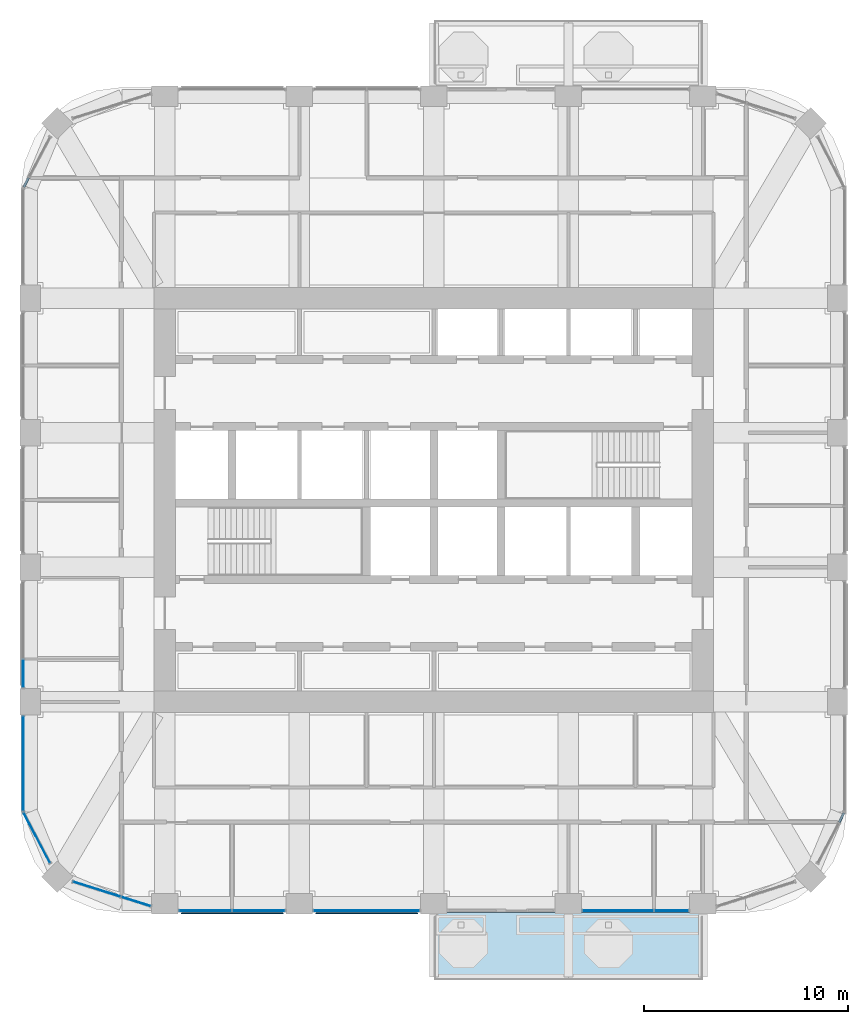
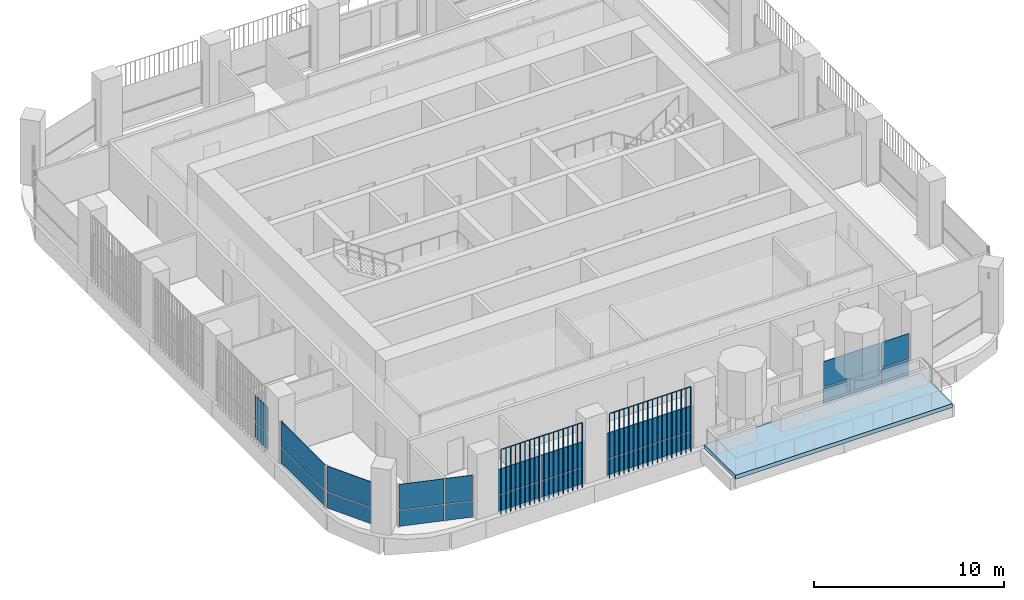
# One storey, part 8 of 20: 22 plates, 2 members, 1 slab, 9 elements without a shape of their own.
"""IFC4 building model written with IfcOpenShell, lengths in metres."""

from ifc_helpers import new_model, si_unit, direction, frame, origin, origin_2d, place, context, subcontext, project, spatial, polyline, rectangle, outline, extrude, material, layer, layer_set, material_profile, profile_set, type_object, element, aggregate, save


model = new_model("IFC4")

# Units and contexts
model_context = context("Model", 3, precision=1e-05, world=origin(), true_north=direction((0.0, 1.0)))
body_context = subcontext(model_context, "Body", "Model", "MODEL_VIEW")
ifc_project = project(units=[si_unit("LENGTHUNIT", "METRE"), si_unit("AREAUNIT", "SQUARE_METRE"), si_unit("VOLUMEUNIT", "CUBIC_METRE"), si_unit("PLANEANGLEUNIT", "RADIAN"), si_unit("MASSUNIT", "GRAM", prefix="KILO")], contexts=[model_context])

# Site, building, storey
site_placement = place(None, origin())
site = spatial("IfcSite", under=ifc_project, at=site_placement, CompositionType="ELEMENT")
building_placement = place(site_placement, origin())
building = spatial("IfcBuilding", under=site, at=building_placement, Name="Cobogo Forest Laboratory Tower", CompositionType="ELEMENT")
storey_placement = place(building_placement, frame((0.0, 0.0, 233.39990234375)))
storey = spatial("IfcBuildingStorey", under=building, at=storey_placement, Name="L53", CompositionType="ELEMENT", Elevation=233.39990234375)

# Curtain wall, member
ifc_material_1 = material(Name="Aluminium curtain wall", Category="aluminium")
curtain_wall_type = type_object("IfcCurtainWallType", Name="CW-2 unitised curtain wall, solar control glazing, laboratory floors zones C and D", PredefinedType="USERDEFINED", material=ifc_material_1)
curtain_wall_1_placement = place(storey_placement, origin())
curtain_wall_1 = element("IfcCurtainWall", 1, at=curtain_wall_1_placement, inside=storey, type_object=curtain_wall_type, Name="Curtain wall 06 L53", ObjectType="UNITISED CURTAIN WALL", PredefinedType="USERDEFINED")
ifc_material_2 = material(Name="Aluminium transom", Category="aluminium")
ifc_material_profile = material_profile(ifc_material_2, rectangle(XDim=0.1201171875, YDim=0.06005859375, at=origin_2d()), Name="AL 60x120")
ifc_profile_set = profile_set([ifc_material_profile], Name="Aluminium transom")
member_type = type_object("IfcMemberType", Name="TR-1 aluminium transom 60x120", PredefinedType="USERDEFINED", material=ifc_profile_set)
member_1_placement = place(storey_placement, frame((46.282470703125, 7.289306640625, 1.050048828125), z_axis=(0.46414828098, 0.885757513806, 0.0), x_axis=(-0.885757513806, 0.46414828098, 0.0)))
member_1 = element("IfcMember", 2, at=member_1_placement, type_object=member_type, Name="CW-2 transom 2.1", ObjectType="TRANSOM", PredefinedType="USERDEFINED", context=body_context, shape_type="SweptSolid", body=[
    extrude(rectangle(XDim=0.1201171875, YDim=0.06005859375, at=origin_2d()), origin(), (0.0, 0.0, 1.0), 0.5166015625),
])
aggregate(curtain_wall_1, [member_1])

curtain_wall_2_placement = place(storey_placement, origin())
curtain_wall_2 = element("IfcCurtainWall", 3, at=curtain_wall_2_placement, inside=storey, type_object=curtain_wall_type, Name="Curtain wall 19 L53", ObjectType="UNITISED CURTAIN WALL", PredefinedType="USERDEFINED")
member_2_placement = place(storey_placement, frame((6.517578125, 38.91064453125, 1.050048828125), z_axis=(-0.46414828098, -0.885757513806, 0.0), x_axis=(0.885757513806, -0.46414828098, 0.0)))
member_2 = element("IfcMember", 4, at=member_2_placement, type_object=member_type, Name="CW-2 transom 2.1", ObjectType="TRANSOM", PredefinedType="USERDEFINED", context=body_context, shape_type="SweptSolid", body=[
    extrude(rectangle(XDim=0.1201171875, YDim=0.06005859375, at=origin_2d()), origin(), (0.0, 0.0, 1.0), 0.5166015625),
])
aggregate(curtain_wall_2, [member_2])

# Slab
ifc_material_3 = material(Name="Concrete HA-40 (C40/50)", Category="concrete")
ifc_layer_1 = layer(ifc_material_3, 0.25)
ifc_layer_set_1 = layer_set([ifc_layer_1], Name="Balcony slab 250")
slab_type = type_object("IfcSlabType", Name="Balcony slab 250", PredefinedType="FLOOR", material=ifc_layer_set_1)
slab_placement = place(storey_placement, frame((0.0, 0.0, -0.25)))
element("IfcSlab", 5, at=slab_placement, inside=storey, type_object=slab_type, Name="Balcony BAL-S1 L53", PredefinedType="FLOOR", context=body_context, shape_type="SweptSolid", body=[
    extrude(outline(polyline([(26.39990234375, -0.449951171875), (39.60009765625, -0.449951171875), (39.60009765625, 2.85009765625), (26.39990234375, 2.85009765625), (26.39990234375, -0.449951171875)])), origin(), (0.0, 0.0, 1.0), 0.25),
])

# Curtain wall, plates
curtain_wall_3_placement = place(storey_placement, origin())
curtain_wall_3 = element("IfcCurtainWall", 6, at=curtain_wall_3_placement, inside=storey, type_object=curtain_wall_type, Name="Curtain wall 01 L53", ObjectType="UNITISED CURTAIN WALL", PredefinedType="USERDEFINED")
ifc_material_4 = material(Name="Solar control insulated glass", Category="glass")
ifc_layer_2 = layer(ifc_material_4, 0.031982421875)
ifc_layer_set_2 = layer_set([ifc_layer_2], Name="GP-2 solar control glass unit 32")
plate_type_1 = type_object("IfcPlateType", Name="GP-2 solar control glass unit 32", PredefinedType="CURTAIN_PANEL", material=ifc_layer_set_2)
plate_1_placement = place(storey_placement, frame((15.18994140625, 2.949951171875, 0.0), z_axis=(0.0, 0.0, 1.0), x_axis=(1.0, 0.0, 0.0)))
plate_1 = element("IfcPlate", 7, at=plate_1_placement, type_object=plate_type_1, Name="CW-2 panel 1.1", PredefinedType="CURTAIN_PANEL", context=body_context, shape_type="SweptSolid", body=[
    extrude(rectangle(XDim=2.56005859375, YDim=0.031982421875, at=origin_2d()), origin(), (0.0, 0.0, 1.0), 1.02001953125),
])
plate_2_placement = place(storey_placement, frame((15.18994140625, 2.949951171875, 1.080078125), z_axis=(0.0, 0.0, 1.0), x_axis=(1.0, 0.0, 0.0)))
plate_2 = element("IfcPlate", 8, at=plate_2_placement, type_object=plate_type_1, Name="CW-2 panel 1.2", PredefinedType="CURTAIN_PANEL", context=body_context, shape_type="SweptSolid", body=[
    extrude(rectangle(XDim=2.56005859375, YDim=0.031982421875, at=origin_2d()), origin(), (0.0, 0.0, 1.0), 1.6201171875),
])
plate_3_placement = place(storey_placement, frame((17.81005859375, 2.949951171875, 0.0), z_axis=(0.0, 0.0, 1.0), x_axis=(1.0, 0.0, 0.0)))
plate_3 = element("IfcPlate", 9, at=plate_3_placement, type_object=plate_type_1, Name="CW-2 panel 2.1", PredefinedType="CURTAIN_PANEL", context=body_context, shape_type="SweptSolid", body=[
    extrude(rectangle(XDim=2.56005859375, YDim=0.031982421875, at=origin_2d()), origin(), (0.0, 0.0, 1.0), 1.02001953125),
])
plate_4_placement = place(storey_placement, frame((17.81005859375, 2.949951171875, 1.080078125), z_axis=(0.0, 0.0, 1.0), x_axis=(1.0, 0.0, 0.0)))
plate_4 = element("IfcPlate", 10, at=plate_4_placement, type_object=plate_type_1, Name="CW-2 panel 2.2", PredefinedType="CURTAIN_PANEL", context=body_context, shape_type="SweptSolid", body=[
    extrude(rectangle(XDim=2.56005859375, YDim=0.031982421875, at=origin_2d()), origin(), (0.0, 0.0, 1.0), 1.6201171875),
])
aggregate(curtain_wall_3, [plate_1, plate_2, plate_3, plate_4])

curtain_wall_4_placement = place(storey_placement, origin())
curtain_wall_4 = element("IfcCurtainWall", 11, at=curtain_wall_4_placement, inside=storey, type_object=curtain_wall_type, Name="Curtain wall 02 L53", ObjectType="UNITISED CURTAIN WALL", PredefinedType="USERDEFINED")
plate_5_placement = place(storey_placement, frame((23.10009765625, 2.949951171875, 0.0), z_axis=(0.0, 0.0, 1.0), x_axis=(1.0, 0.0, 0.0)))
plate_5 = element("IfcPlate", 12, at=plate_5_placement, type_object=plate_type_1, Name="CW-2 panel 1.1", PredefinedType="CURTAIN_PANEL", context=body_context, shape_type="SweptSolid", body=[
    extrude(rectangle(XDim=5.179931640625, YDim=0.031982421875, at=origin_2d()), origin(), (0.0, 0.0, 1.0), 1.02001953125),
])
plate_6_placement = place(storey_placement, frame((23.10009765625, 2.949951171875, 1.080078125), z_axis=(0.0, 0.0, 1.0), x_axis=(1.0, 0.0, 0.0)))
plate_6 = element("IfcPlate", 13, at=plate_6_placement, type_object=plate_type_1, Name="CW-2 panel 1.2", PredefinedType="CURTAIN_PANEL", context=body_context, shape_type="SweptSolid", body=[
    extrude(rectangle(XDim=5.179931640625, YDim=0.031982421875, at=origin_2d()), origin(), (0.0, 0.0, 1.0), 1.6201171875),
])
aggregate(curtain_wall_4, [plate_5, plate_6])

curtain_wall_5_placement = place(storey_placement, origin())
curtain_wall_5 = element("IfcCurtainWall", 14, at=curtain_wall_5_placement, inside=storey, type_object=curtain_wall_type, Name="Curtain wall 04 L53", ObjectType="UNITISED CURTAIN WALL", PredefinedType="USERDEFINED")
plate_7_placement = place(storey_placement, frame((35.43994140625, 2.949951171875, 0.0), z_axis=(0.0, 0.0, 1.0), x_axis=(1.0, 0.0, 0.0)))
plate_7 = element("IfcPlate", 15, at=plate_7_placement, type_object=plate_type_1, Name="CW-2 panel 1.1", PredefinedType="CURTAIN_PANEL", context=body_context, shape_type="SweptSolid", body=[
    extrude(rectangle(XDim=3.4599609375, YDim=0.031982421875, at=origin_2d()), origin(), (0.0, 0.0, 1.0), 1.02001953125),
])
plate_8_placement = place(storey_placement, frame((35.43994140625, 2.949951171875, 1.080078125), z_axis=(0.0, 0.0, 1.0), x_axis=(1.0, 0.0, 0.0)))
plate_8 = element("IfcPlate", 16, at=plate_8_placement, type_object=plate_type_1, Name="CW-2 panel 1.2", PredefinedType="CURTAIN_PANEL", context=body_context, shape_type="SweptSolid", body=[
    extrude(rectangle(XDim=3.4599609375, YDim=0.031982421875, at=origin_2d()), origin(), (0.0, 0.0, 1.0), 1.6201171875),
])
plate_9_placement = place(storey_placement, frame((38.06005859375, 2.949951171875, 0.0), z_axis=(0.0, 0.0, 1.0), x_axis=(1.0, 0.0, 0.0)))
plate_9 = element("IfcPlate", 17, at=plate_9_placement, type_object=plate_type_1, Name="CW-2 panel 2.1", PredefinedType="CURTAIN_PANEL", context=body_context, shape_type="SweptSolid", body=[
    extrude(rectangle(XDim=1.659912109375, YDim=0.031982421875, at=origin_2d()), origin(), (0.0, 0.0, 1.0), 1.02001953125),
])
plate_10_placement = place(storey_placement, frame((38.06005859375, 2.949951171875, 1.080078125), z_axis=(0.0, 0.0, 1.0), x_axis=(1.0, 0.0, 0.0)))
plate_10 = element("IfcPlate", 18, at=plate_10_placement, type_object=plate_type_1, Name="CW-2 panel 2.2", PredefinedType="CURTAIN_PANEL", context=body_context, shape_type="SweptSolid", body=[
    extrude(rectangle(XDim=1.659912109375, YDim=0.031982421875, at=origin_2d()), origin(), (0.0, 0.0, 1.0), 1.6201171875),
])
aggregate(curtain_wall_5, [plate_7, plate_8, plate_9, plate_10])

curtain_wall_6_placement = place(storey_placement, origin())
curtain_wall_6 = element("IfcCurtainWall", 19, at=curtain_wall_6_placement, inside=storey, type_object=curtain_wall_type, Name="Curtain wall 23 L53", ObjectType="UNITISED CURTAIN WALL", PredefinedType="USERDEFINED")
plate_11_placement = place(storey_placement, frame((6.25, 14.590087890625, 0.0), z_axis=(0.0, 0.0, 1.0), x_axis=(0.0, -1.0, 0.0)))
plate_11 = element("IfcPlate", 20, at=plate_11_placement, type_object=plate_type_1, Name="CW-2 panel 2.1", PredefinedType="CURTAIN_PANEL", context=body_context, shape_type="SweptSolid", body=[
    extrude(rectangle(XDim=1.360107421875, YDim=0.031982421875, at=origin_2d()), origin(), (0.0, 0.0, 1.0), 1.02001953125),
])
plate_12_placement = place(storey_placement, frame((6.25, 14.590087890625, 1.080078125), z_axis=(0.0, 0.0, 1.0), x_axis=(0.0, -1.0, 0.0)))
plate_12 = element("IfcPlate", 21, at=plate_12_placement, type_object=plate_type_1, Name="CW-2 panel 2.2", PredefinedType="CURTAIN_PANEL", context=body_context, shape_type="SweptSolid", body=[
    extrude(rectangle(XDim=1.360107421875, YDim=0.031982421875, at=origin_2d()), origin(), (0.0, 0.0, 1.0), 1.6201171875),
])
aggregate(curtain_wall_6, [plate_11, plate_12])

curtain_wall_7_placement = place(storey_placement, origin())
curtain_wall_7 = element("IfcCurtainWall", 22, at=curtain_wall_7_placement, inside=storey, type_object=curtain_wall_type, Name="Curtain wall 24 L53", ObjectType="UNITISED CURTAIN WALL", PredefinedType="USERDEFINED")
plate_13_placement = place(storey_placement, frame((6.25, 10.175048828125, 0.0), z_axis=(0.0, 0.0, 1.0), x_axis=(0.0, -1.0, 0.0)))
plate_13 = element("IfcPlate", 23, at=plate_13_placement, type_object=plate_type_1, Name="CW-2 panel 1.1", PredefinedType="CURTAIN_PANEL", context=body_context, shape_type="SweptSolid", body=[
    extrude(rectangle(XDim=4.6298828125, YDim=0.031982421875, at=origin_2d()), origin(), (0.0, 0.0, 1.0), 1.02001953125),
])
plate_14_placement = place(storey_placement, frame((6.25, 10.175048828125, 1.080078125), z_axis=(0.0, 0.0, 1.0), x_axis=(0.0, -1.0, 0.0)))
plate_14 = element("IfcPlate", 24, at=plate_14_placement, type_object=plate_type_1, Name="CW-2 panel 1.2", PredefinedType="CURTAIN_PANEL", context=body_context, shape_type="SweptSolid", body=[
    extrude(rectangle(XDim=4.6298828125, YDim=0.031982421875, at=origin_2d()), origin(), (0.0, 0.0, 1.0), 1.6201171875),
])
aggregate(curtain_wall_7, [plate_13, plate_14])

curtain_wall_8_placement = place(storey_placement, origin())
curtain_wall_8 = element("IfcCurtainWall", 25, at=curtain_wall_8_placement, inside=storey, type_object=curtain_wall_type, Name="Curtain wall 25 L53", ObjectType="UNITISED CURTAIN WALL", PredefinedType="USERDEFINED")
plate_15_placement = place(storey_placement, frame((6.918701171875, 6.5244140625, 0.0), z_axis=(0.0, 0.0, 1.0), x_axis=(0.464283804832, -0.885686484356, 0.0)))
plate_15 = element("IfcPlate", 26, at=plate_15_placement, type_object=plate_type_1, Name="CW-2 panel 1.1", PredefinedType="CURTAIN_PANEL", context=body_context, shape_type="SweptSolid", body=[
    extrude(rectangle(XDim=2.76025390625, YDim=0.031982421875, at=origin_2d()), origin(), (0.0, 0.0, 1.0), 1.02001953125),
])
plate_16_placement = place(storey_placement, frame((6.918701171875, 6.5244140625, 1.080078125), z_axis=(0.0, 0.0, 1.0), x_axis=(0.464283804832, -0.885686484356, 0.0)))
plate_16 = element("IfcPlate", 27, at=plate_16_placement, type_object=plate_type_1, Name="CW-2 panel 1.2", PredefinedType="CURTAIN_PANEL", context=body_context, shape_type="SweptSolid", body=[
    extrude(rectangle(XDim=2.76025390625, YDim=0.031982421875, at=origin_2d()), origin(), (0.0, 0.0, 1.0), 1.6201171875),
])
aggregate(curtain_wall_8, [plate_15, plate_16])

curtain_wall_9_placement = place(storey_placement, origin())
curtain_wall_9 = element("IfcCurtainWall", 28, at=curtain_wall_9_placement, inside=storey, type_object=curtain_wall_type, Name="Curtain wall 26 L53", ObjectType="UNITISED CURTAIN WALL", PredefinedType="USERDEFINED")
plate_17_placement = place(storey_placement, frame((9.8642578125, 4.00341796875, 0.0), z_axis=(0.0, 0.0, 1.0), x_axis=(0.953581331491, -0.301135591107, 0.0)))
plate_17 = element("IfcPlate", 29, at=plate_17_placement, type_object=plate_type_1, Name="CW-2 panel 1.1", PredefinedType="CURTAIN_PANEL", context=body_context, shape_type="SweptSolid", body=[
    extrude(rectangle(XDim=2.428955078125, YDim=0.031982421875, at=origin_2d()), origin(), (0.0, 0.0, 1.0), 1.02001953125),
])
plate_18_placement = place(storey_placement, frame((9.8642578125, 4.00341796875, 1.080078125), z_axis=(0.0, 0.0, 1.0), x_axis=(0.953581331491, -0.301135591107, 0.0)))
plate_18 = element("IfcPlate", 30, at=plate_18_placement, type_object=plate_type_1, Name="CW-2 panel 1.2", PredefinedType="CURTAIN_PANEL", context=body_context, shape_type="SweptSolid", body=[
    extrude(rectangle(XDim=2.428955078125, YDim=0.031982421875, at=origin_2d()), origin(), (0.0, 0.0, 1.0), 1.6201171875),
])
plate_19_placement = place(storey_placement, frame((11.7861328125, 3.396484375, 0.0), z_axis=(0.0, 0.0, 1.0), x_axis=(0.953581331491, -0.301135591107, 0.0)))
plate_19 = element("IfcPlate", 31, at=plate_19_placement, type_object=plate_type_1, Name="CW-2 panel 2.1", PredefinedType="CURTAIN_PANEL", context=body_context, shape_type="SweptSolid", body=[
    extrude(rectangle(XDim=1.482177734375, YDim=0.031982421875, at=origin_2d()), origin(), (0.0, 0.0, 1.0), 1.02001953125),
])
plate_20_placement = place(storey_placement, frame((11.7861328125, 3.396484375, 1.080078125), z_axis=(0.0, 0.0, 1.0), x_axis=(0.953581331491, -0.301135591107, 0.0)))
plate_20 = element("IfcPlate", 32, at=plate_20_placement, type_object=plate_type_1, Name="CW-2 panel 2.2", PredefinedType="CURTAIN_PANEL", context=body_context, shape_type="SweptSolid", body=[
    extrude(rectangle(XDim=1.482177734375, YDim=0.031982421875, at=origin_2d()), origin(), (0.0, 0.0, 1.0), 1.6201171875),
])
aggregate(curtain_wall_9, [plate_17, plate_18, plate_19, plate_20])

# Plates
ifc_material_5 = material(Name="Terracotta", Category="masonry")
plate_type_2 = type_object("IfcPlateType", Name="TB1 terracotta baguette screen", PredefinedType="USERDEFINED", material=ifc_material_5)
plate_21_placement = place(storey_placement, frame((14.03125, 2.822021484375, -0.14990234375)))
element("IfcPlate", 33, at=plate_21_placement, inside=storey, type_object=plate_type_2, Name="Baguette screen S1 L53", ObjectType="BAGUETTE SCREEN", PredefinedType="USERDEFINED", context=body_context, shape_type="SweptSolid", body=[
    extrude(outline(polyline([(0.02880859375, 0.011962890625), (0.011962890625, 0.02880859375), (-0.011962890625, 0.02880859375), (-0.02880859375, 0.011962890625), (-0.02880859375, -0.011962890625), (-0.011962890625, -0.02880859375), (0.011962890625, -0.02880859375), (0.02880859375, -0.011962890625), (0.02880859375, 0.011962890625)])), frame((0.0, 0.0, 4.168701171875), z_axis=(1.0, 0.0, 0.0), x_axis=(0.0, 1.0, 0.0)), (0.0, 0.0, 1.0), 4.9375),
    extrude(outline(polyline([(0.02880859375, 0.011962890625), (0.011962890625, 0.02880859375), (-0.011962890625, 0.02880859375), (-0.02880859375, 0.011962890625), (-0.02880859375, -0.011962890625), (-0.011962890625, -0.02880859375), (0.011962890625, -0.02880859375), (0.02880859375, -0.011962890625), (0.02880859375, 0.011962890625)])), origin(), (0.0, 0.0, 1.0), 4.137451171875),
    extrude(outline(polyline([(0.02880859375, 0.011962890625), (0.011962890625, 0.02880859375), (-0.011962890625, 0.02880859375), (-0.02880859375, 0.011962890625), (-0.02880859375, -0.011962890625), (-0.011962890625, -0.02880859375), (0.011962890625, -0.02880859375), (0.02880859375, -0.011962890625), (0.02880859375, 0.011962890625)])), frame((0.29052734375, 0.0, 0.0)), (0.0, 0.0, 1.0), 4.137451171875),
    extrude(outline(polyline([(0.02880859375, 0.011962890625), (0.011962890625, 0.02880859375), (-0.011962890625, 0.02880859375), (-0.02880859375, 0.011962890625), (-0.02880859375, -0.011962890625), (-0.011962890625, -0.02880859375), (0.011962890625, -0.02880859375), (0.02880859375, -0.011962890625), (0.02880859375, 0.011962890625)])), frame((0.580810546875, 0.0, 0.0)), (0.0, 0.0, 1.0), 4.137451171875),
    extrude(outline(polyline([(0.02880859375, 0.011962890625), (0.011962890625, 0.02880859375), (-0.011962890625, 0.02880859375), (-0.02880859375, 0.011962890625), (-0.02880859375, -0.011962890625), (-0.011962890625, -0.02880859375), (0.011962890625, -0.02880859375), (0.02880859375, -0.011962890625), (0.02880859375, 0.011962890625)])), frame((0.871337890625, 0.0, 0.0)), (0.0, 0.0, 1.0), 4.137451171875),
    extrude(outline(polyline([(0.02880859375, 0.011962890625), (0.011962890625, 0.02880859375), (-0.011962890625, 0.02880859375), (-0.02880859375, 0.011962890625), (-0.02880859375, -0.011962890625), (-0.011962890625, -0.02880859375), (0.011962890625, -0.02880859375), (0.02880859375, -0.011962890625), (0.02880859375, 0.011962890625)])), frame((1.161865234375, 0.0, 0.0)), (0.0, 0.0, 1.0), 4.137451171875),
    extrude(outline(polyline([(0.02880859375, 0.011962890625), (0.011962890625, 0.02880859375), (-0.011962890625, 0.02880859375), (-0.02880859375, 0.011962890625), (-0.02880859375, -0.011962890625), (-0.011962890625, -0.02880859375), (0.011962890625, -0.02880859375), (0.02880859375, -0.011962890625), (0.02880859375, 0.011962890625)])), frame((1.4521484375, 0.0, 0.0)), (0.0, 0.0, 1.0), 4.137451171875),
    extrude(outline(polyline([(0.02880859375, 0.011962890625), (0.011962890625, 0.02880859375), (-0.011962890625, 0.02880859375), (-0.02880859375, 0.011962890625), (-0.02880859375, -0.011962890625), (-0.011962890625, -0.02880859375), (0.011962890625, -0.02880859375), (0.02880859375, -0.011962890625), (0.02880859375, 0.011962890625)])), frame((1.74267578125, 0.0, 0.0)), (0.0, 0.0, 1.0), 4.137451171875),
    extrude(outline(polyline([(0.02880859375, 0.011962890625), (0.011962890625, 0.02880859375), (-0.011962890625, 0.02880859375), (-0.02880859375, 0.011962890625), (-0.02880859375, -0.011962890625), (-0.011962890625, -0.02880859375), (0.011962890625, -0.02880859375), (0.02880859375, -0.011962890625), (0.02880859375, 0.011962890625)])), frame((2.033203125, 0.0, 0.0)), (0.0, 0.0, 1.0), 4.137451171875),
    extrude(outline(polyline([(0.02880859375, 0.011962890625), (0.011962890625, 0.02880859375), (-0.011962890625, 0.02880859375), (-0.02880859375, 0.011962890625), (-0.02880859375, -0.011962890625), (-0.011962890625, -0.02880859375), (0.011962890625, -0.02880859375), (0.02880859375, -0.011962890625), (0.02880859375, 0.011962890625)])), frame((2.323486328125, 0.0, 0.0)), (0.0, 0.0, 1.0), 4.137451171875),
    extrude(outline(polyline([(0.02880859375, 0.011962890625), (0.011962890625, 0.02880859375), (-0.011962890625, 0.02880859375), (-0.02880859375, 0.011962890625), (-0.02880859375, -0.011962890625), (-0.011962890625, -0.02880859375), (0.011962890625, -0.02880859375), (0.02880859375, -0.011962890625), (0.02880859375, 0.011962890625)])), frame((2.614013671875, 0.0, 0.0)), (0.0, 0.0, 1.0), 4.137451171875),
    extrude(outline(polyline([(0.02880859375, 0.011962890625), (0.011962890625, 0.02880859375), (-0.011962890625, 0.02880859375), (-0.02880859375, 0.011962890625), (-0.02880859375, -0.011962890625), (-0.011962890625, -0.02880859375), (0.011962890625, -0.02880859375), (0.02880859375, -0.011962890625), (0.02880859375, 0.011962890625)])), frame((2.904296875, 0.0, 0.0)), (0.0, 0.0, 1.0), 4.137451171875),
    extrude(outline(polyline([(0.02880859375, 0.011962890625), (0.011962890625, 0.02880859375), (-0.011962890625, 0.02880859375), (-0.02880859375, 0.011962890625), (-0.02880859375, -0.011962890625), (-0.011962890625, -0.02880859375), (0.011962890625, -0.02880859375), (0.02880859375, -0.011962890625), (0.02880859375, 0.011962890625)])), frame((3.19482421875, 0.0, 0.0)), (0.0, 0.0, 1.0), 4.137451171875),
    extrude(outline(polyline([(0.02880859375, 0.011962890625), (0.011962890625, 0.02880859375), (-0.011962890625, 0.02880859375), (-0.02880859375, 0.011962890625), (-0.02880859375, -0.011962890625), (-0.011962890625, -0.02880859375), (0.011962890625, -0.02880859375), (0.02880859375, -0.011962890625), (0.02880859375, 0.011962890625)])), frame((3.4853515625, 0.0, 0.0)), (0.0, 0.0, 1.0), 4.137451171875),
    extrude(outline(polyline([(0.02880859375, 0.011962890625), (0.011962890625, 0.02880859375), (-0.011962890625, 0.02880859375), (-0.02880859375, 0.011962890625), (-0.02880859375, -0.011962890625), (-0.011962890625, -0.02880859375), (0.011962890625, -0.02880859375), (0.02880859375, -0.011962890625), (0.02880859375, 0.011962890625)])), frame((3.775634765625, 0.0, 0.0)), (0.0, 0.0, 1.0), 4.137451171875),
    extrude(outline(polyline([(0.02880859375, 0.011962890625), (0.011962890625, 0.02880859375), (-0.011962890625, 0.02880859375), (-0.02880859375, 0.011962890625), (-0.02880859375, -0.011962890625), (-0.011962890625, -0.02880859375), (0.011962890625, -0.02880859375), (0.02880859375, -0.011962890625), (0.02880859375, 0.011962890625)])), frame((4.066162109375, 0.0, 0.0)), (0.0, 0.0, 1.0), 4.137451171875),
    extrude(outline(polyline([(0.02880859375, 0.011962890625), (0.011962890625, 0.02880859375), (-0.011962890625, 0.02880859375), (-0.02880859375, 0.011962890625), (-0.02880859375, -0.011962890625), (-0.011962890625, -0.02880859375), (0.011962890625, -0.02880859375), (0.02880859375, -0.011962890625), (0.02880859375, 0.011962890625)])), frame((4.356689453125, 0.0, 0.0)), (0.0, 0.0, 1.0), 4.137451171875),
    extrude(outline(polyline([(0.02880859375, 0.011962890625), (0.011962890625, 0.02880859375), (-0.011962890625, 0.02880859375), (-0.02880859375, 0.011962890625), (-0.02880859375, -0.011962890625), (-0.011962890625, -0.02880859375), (0.011962890625, -0.02880859375), (0.02880859375, -0.011962890625), (0.02880859375, 0.011962890625)])), frame((4.64697265625, 0.0, 0.0)), (0.0, 0.0, 1.0), 4.137451171875),
    extrude(outline(polyline([(0.02880859375, 0.011962890625), (0.011962890625, 0.02880859375), (-0.011962890625, 0.02880859375), (-0.02880859375, 0.011962890625), (-0.02880859375, -0.011962890625), (-0.011962890625, -0.02880859375), (0.011962890625, -0.02880859375), (0.02880859375, -0.011962890625), (0.02880859375, 0.011962890625)])), frame((4.9375, 0.0, 0.0)), (0.0, 0.0, 1.0), 4.137451171875),
])
plate_22_placement = place(storey_placement, frame((20.63134765625, 2.822021484375, -0.14990234375)))
element("IfcPlate", 34, at=plate_22_placement, inside=storey, type_object=plate_type_2, Name="Baguette screen S2 L53", ObjectType="BAGUETTE SCREEN", PredefinedType="USERDEFINED", context=body_context, shape_type="SweptSolid", body=[
    extrude(outline(polyline([(0.02880859375, 0.011962890625), (0.011962890625, 0.02880859375), (-0.011962890625, 0.02880859375), (-0.02880859375, 0.011962890625), (-0.02880859375, -0.011962890625), (-0.011962890625, -0.02880859375), (0.011962890625, -0.02880859375), (0.02880859375, -0.011962890625), (0.02880859375, 0.011962890625)])), frame((0.0, 0.0, 4.168701171875), z_axis=(1.0, 0.0, 0.0), x_axis=(0.0, 1.0, 0.0)), (0.0, 0.0, 1.0), 4.9375),
    extrude(outline(polyline([(0.02880859375, 0.011962890625), (0.011962890625, 0.02880859375), (-0.011962890625, 0.02880859375), (-0.02880859375, 0.011962890625), (-0.02880859375, -0.011962890625), (-0.011962890625, -0.02880859375), (0.011962890625, -0.02880859375), (0.02880859375, -0.011962890625), (0.02880859375, 0.011962890625)])), origin(), (0.0, 0.0, 1.0), 4.137451171875),
    extrude(outline(polyline([(0.02880859375, 0.011962890625), (0.011962890625, 0.02880859375), (-0.011962890625, 0.02880859375), (-0.02880859375, 0.011962890625), (-0.02880859375, -0.011962890625), (-0.011962890625, -0.02880859375), (0.011962890625, -0.02880859375), (0.02880859375, -0.011962890625), (0.02880859375, 0.011962890625)])), frame((0.29052734375, 0.0, 0.0)), (0.0, 0.0, 1.0), 4.137451171875),
    extrude(outline(polyline([(0.02880859375, 0.011962890625), (0.011962890625, 0.02880859375), (-0.011962890625, 0.02880859375), (-0.02880859375, 0.011962890625), (-0.02880859375, -0.011962890625), (-0.011962890625, -0.02880859375), (0.011962890625, -0.02880859375), (0.02880859375, -0.011962890625), (0.02880859375, 0.011962890625)])), frame((0.580810546875, 0.0, 0.0)), (0.0, 0.0, 1.0), 4.137451171875),
    extrude(outline(polyline([(0.02880859375, 0.011962890625), (0.011962890625, 0.02880859375), (-0.011962890625, 0.02880859375), (-0.02880859375, 0.011962890625), (-0.02880859375, -0.011962890625), (-0.011962890625, -0.02880859375), (0.011962890625, -0.02880859375), (0.02880859375, -0.011962890625), (0.02880859375, 0.011962890625)])), frame((0.871337890625, 0.0, 0.0)), (0.0, 0.0, 1.0), 4.137451171875),
    extrude(outline(polyline([(0.02880859375, 0.011962890625), (0.011962890625, 0.02880859375), (-0.011962890625, 0.02880859375), (-0.02880859375, 0.011962890625), (-0.02880859375, -0.011962890625), (-0.011962890625, -0.02880859375), (0.011962890625, -0.02880859375), (0.02880859375, -0.011962890625), (0.02880859375, 0.011962890625)])), frame((1.161865234375, 0.0, 0.0)), (0.0, 0.0, 1.0), 4.137451171875),
    extrude(outline(polyline([(0.02880859375, 0.011962890625), (0.011962890625, 0.02880859375), (-0.011962890625, 0.02880859375), (-0.02880859375, 0.011962890625), (-0.02880859375, -0.011962890625), (-0.011962890625, -0.02880859375), (0.011962890625, -0.02880859375), (0.02880859375, -0.011962890625), (0.02880859375, 0.011962890625)])), frame((1.4521484375, 0.0, 0.0)), (0.0, 0.0, 1.0), 4.137451171875),
    extrude(outline(polyline([(0.02880859375, 0.011962890625), (0.011962890625, 0.02880859375), (-0.011962890625, 0.02880859375), (-0.02880859375, 0.011962890625), (-0.02880859375, -0.011962890625), (-0.011962890625, -0.02880859375), (0.011962890625, -0.02880859375), (0.02880859375, -0.011962890625), (0.02880859375, 0.011962890625)])), frame((1.74267578125, 0.0, 0.0)), (0.0, 0.0, 1.0), 4.137451171875),
    extrude(outline(polyline([(0.02880859375, 0.011962890625), (0.011962890625, 0.02880859375), (-0.011962890625, 0.02880859375), (-0.02880859375, 0.011962890625), (-0.02880859375, -0.011962890625), (-0.011962890625, -0.02880859375), (0.011962890625, -0.02880859375), (0.02880859375, -0.011962890625), (0.02880859375, 0.011962890625)])), frame((2.033203125, 0.0, 0.0)), (0.0, 0.0, 1.0), 4.137451171875),
    extrude(outline(polyline([(0.02880859375, 0.011962890625), (0.011962890625, 0.02880859375), (-0.011962890625, 0.02880859375), (-0.02880859375, 0.011962890625), (-0.02880859375, -0.011962890625), (-0.011962890625, -0.02880859375), (0.011962890625, -0.02880859375), (0.02880859375, -0.011962890625), (0.02880859375, 0.011962890625)])), frame((2.323486328125, 0.0, 0.0)), (0.0, 0.0, 1.0), 4.137451171875),
    extrude(outline(polyline([(0.02880859375, 0.011962890625), (0.011962890625, 0.02880859375), (-0.011962890625, 0.02880859375), (-0.02880859375, 0.011962890625), (-0.02880859375, -0.011962890625), (-0.011962890625, -0.02880859375), (0.011962890625, -0.02880859375), (0.02880859375, -0.011962890625), (0.02880859375, 0.011962890625)])), frame((2.614013671875, 0.0, 0.0)), (0.0, 0.0, 1.0), 4.137451171875),
    extrude(outline(polyline([(0.02880859375, 0.011962890625), (0.011962890625, 0.02880859375), (-0.011962890625, 0.02880859375), (-0.02880859375, 0.011962890625), (-0.02880859375, -0.011962890625), (-0.011962890625, -0.02880859375), (0.011962890625, -0.02880859375), (0.02880859375, -0.011962890625), (0.02880859375, 0.011962890625)])), frame((2.904296875, 0.0, 0.0)), (0.0, 0.0, 1.0), 4.137451171875),
    extrude(outline(polyline([(0.02880859375, 0.011962890625), (0.011962890625, 0.02880859375), (-0.011962890625, 0.02880859375), (-0.02880859375, 0.011962890625), (-0.02880859375, -0.011962890625), (-0.011962890625, -0.02880859375), (0.011962890625, -0.02880859375), (0.02880859375, -0.011962890625), (0.02880859375, 0.011962890625)])), frame((3.19482421875, 0.0, 0.0)), (0.0, 0.0, 1.0), 4.137451171875),
    extrude(outline(polyline([(0.02880859375, 0.011962890625), (0.011962890625, 0.02880859375), (-0.011962890625, 0.02880859375), (-0.02880859375, 0.011962890625), (-0.02880859375, -0.011962890625), (-0.011962890625, -0.02880859375), (0.011962890625, -0.02880859375), (0.02880859375, -0.011962890625), (0.02880859375, 0.011962890625)])), frame((3.4853515625, 0.0, 0.0)), (0.0, 0.0, 1.0), 4.137451171875),
    extrude(outline(polyline([(0.02880859375, 0.011962890625), (0.011962890625, 0.02880859375), (-0.011962890625, 0.02880859375), (-0.02880859375, 0.011962890625), (-0.02880859375, -0.011962890625), (-0.011962890625, -0.02880859375), (0.011962890625, -0.02880859375), (0.02880859375, -0.011962890625), (0.02880859375, 0.011962890625)])), frame((3.775634765625, 0.0, 0.0)), (0.0, 0.0, 1.0), 4.137451171875),
    extrude(outline(polyline([(0.02880859375, 0.011962890625), (0.011962890625, 0.02880859375), (-0.011962890625, 0.02880859375), (-0.02880859375, 0.011962890625), (-0.02880859375, -0.011962890625), (-0.011962890625, -0.02880859375), (0.011962890625, -0.02880859375), (0.02880859375, -0.011962890625), (0.02880859375, 0.011962890625)])), frame((4.066162109375, 0.0, 0.0)), (0.0, 0.0, 1.0), 4.137451171875),
    extrude(outline(polyline([(0.02880859375, 0.011962890625), (0.011962890625, 0.02880859375), (-0.011962890625, 0.02880859375), (-0.02880859375, 0.011962890625), (-0.02880859375, -0.011962890625), (-0.011962890625, -0.02880859375), (0.011962890625, -0.02880859375), (0.02880859375, -0.011962890625), (0.02880859375, 0.011962890625)])), frame((4.356689453125, 0.0, 0.0)), (0.0, 0.0, 1.0), 4.137451171875),
    extrude(outline(polyline([(0.02880859375, 0.011962890625), (0.011962890625, 0.02880859375), (-0.011962890625, 0.02880859375), (-0.02880859375, 0.011962890625), (-0.02880859375, -0.011962890625), (-0.011962890625, -0.02880859375), (0.011962890625, -0.02880859375), (0.02880859375, -0.011962890625), (0.02880859375, 0.011962890625)])), frame((4.64697265625, 0.0, 0.0)), (0.0, 0.0, 1.0), 4.137451171875),
    extrude(outline(polyline([(0.02880859375, 0.011962890625), (0.011962890625, 0.02880859375), (-0.011962890625, 0.02880859375), (-0.02880859375, 0.011962890625), (-0.02880859375, -0.011962890625), (-0.011962890625, -0.02880859375), (0.011962890625, -0.02880859375), (0.02880859375, -0.011962890625), (0.02880859375, 0.011962890625)])), frame((4.9375, 0.0, 0.0)), (0.0, 0.0, 1.0), 4.137451171875),
])

save(model, "model.ifc")
